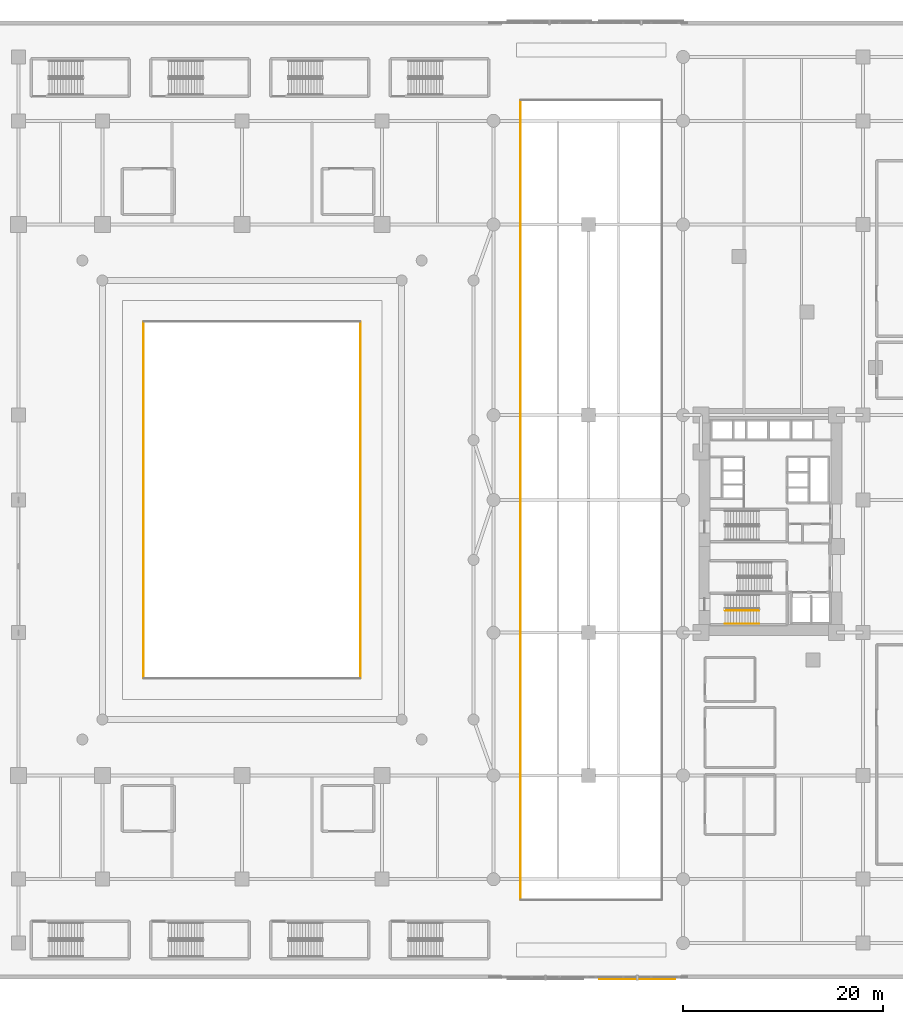
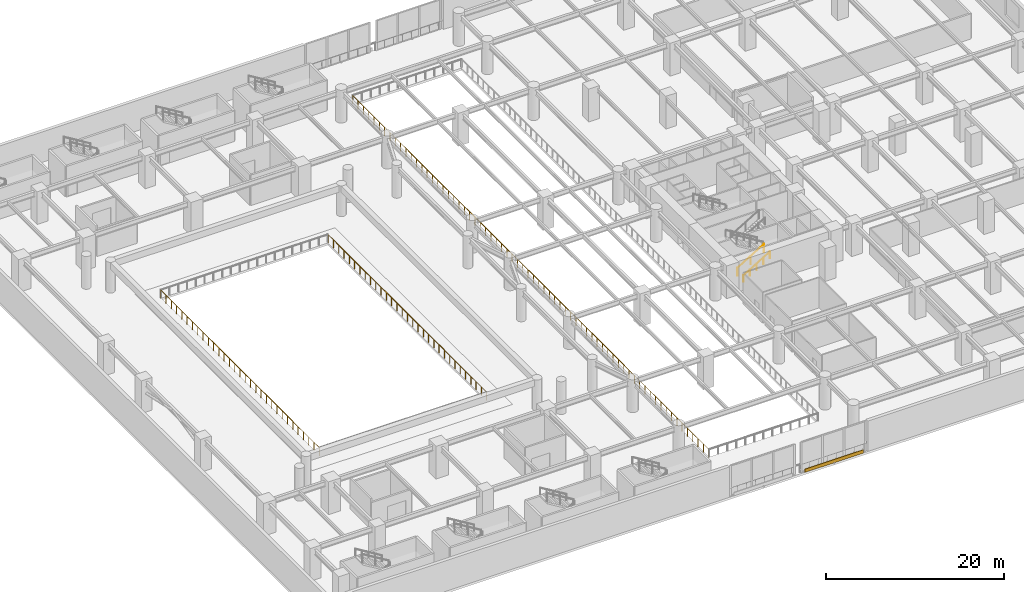
# One storey, part 26 of 32: 5 railings, 1 shading device.
"""IFC4 building model written with IfcOpenShell, lengths in metres."""

import ifcopenshell
import ifcopenshell.guid

model = None  # the IFC model being written
_history = None  # IfcOwnerHistory: only IFC2X3 demands one
_inside = {}  # id of a spatial element -> (the spatial element, [elements in it])
_under = {}  # id of a project, library or spatial element -> (it, [spatial elements below it])
_declared = {}  # id of a project -> (the project, [libraries it declares])
_typed = {}  # id of a type object -> (the type object, [elements of that type])
_made_of = {}  # id of a material, layer set ... -> (it, [elements and type objects made of it])


def new_model(schema):
    """Start an empty IFC model of exactly this schema.

    Asked for "IFC4X3", IfcOpenShell would pick the latest addendum, in which some entities
    have other attributes; the version numbers below select the first issue.
    IFC2X3 requires an IfcOwnerHistory on every rooted entity: one is made here for all.
    """
    global model, _history
    if schema == "IFC4X3":
        model = ifcopenshell.file(schema_version=(4, 3, 0, 0))
    else:
        model = ifcopenshell.file(schema=schema)
    _inside.clear()
    _under.clear()
    _declared.clear()
    _typed.clear()
    _made_of.clear()
    _history = None
    if model.schema == "IFC2X3":
        org = make("IfcOrganization", Name="unknown")
        user = make(
            "IfcPersonAndOrganization",
            ThePerson=make("IfcPerson", FamilyName="unknown"),
            TheOrganization=org,
        )
        app = make(
            "IfcApplication",
            ApplicationDeveloper=org,
            Version="unknown",
            ApplicationFullName="unknown",
            ApplicationIdentifier="unknown",
        )
        _history = make(
            "IfcOwnerHistory",
            OwningUser=user,
            OwningApplication=app,
            ChangeAction="ADDED",
            CreationDate=0,
        )
    return model


def make(cls, **values):
    """One entity of the class cls with the attributes given. An attribute that is None is left unset."""
    return model.create_entity(
        cls, **{name: value for name, value in values.items() if value is not None}
    )


def rooted(cls, **values):
    """An entity with a GlobalId (a new one), such as an element, a storey or a relation."""
    return make(cls, GlobalId=ifcopenshell.guid.new(), OwnerHistory=_history, **values)


def si_unit(unit_type, name, prefix=None):
    """IfcSIUnit, for example si_unit("LENGTHUNIT", "METRE", prefix="MILLI")."""
    return make("IfcSIUnit", UnitType=unit_type, Prefix=prefix, Name=name)


def assignment(units):
    """IfcUnitAssignment: the units of a project."""
    return None if units is None else make("IfcUnitAssignment", Units=units)


def point(xyz):
    """IfcCartesianPoint."""
    return None if xyz is None else make("IfcCartesianPoint", Coordinates=xyz)


def direction(xyz):
    """IfcDirection."""
    return None if xyz is None else make("IfcDirection", DirectionRatios=xyz)


def frame(location, z_axis=None, x_axis=None):
    """IfcAxis2Placement3D, a coordinate frame: its origin and axes. An axis left out is left unset."""
    return make(
        "IfcAxis2Placement3D",
        Location=point(location),
        Axis=direction(z_axis),
        RefDirection=direction(x_axis),
    )


def frame_2d(location, x_axis=None):
    """IfcAxis2Placement2D, a coordinate frame in the plane: its origin and x axis."""
    return make(
        "IfcAxis2Placement2D", Location=point(location), RefDirection=direction(x_axis)
    )


def origin():
    """The frame at (0, 0, 0) with its axes left unset."""
    return frame((0.0, 0.0, 0.0))


def origin_2d():
    """The frame at (0, 0) in the plane with its x axis left unset."""
    return frame_2d((0.0, 0.0))


def place(relative_to, where):
    """IfcLocalPlacement: puts the frame where relative to a parent placement (None: the world)."""
    return make(
        "IfcLocalPlacement", PlacementRelTo=relative_to, RelativePlacement=where
    )


def context(
    kind, dimensions, precision=None, world=None, true_north=None, identifier=None
):
    """IfcGeometricRepresentationContext, for example the 3D "Model" context."""
    return make(
        "IfcGeometricRepresentationContext",
        ContextIdentifier=identifier,
        ContextType=kind,
        CoordinateSpaceDimension=dimensions,
        Precision=precision,
        WorldCoordinateSystem=world,
        TrueNorth=true_north,
    )


def subcontext(parent, identifier, kind, view, scale=None):
    """IfcGeometricRepresentationSubContext, for example "Body" below "Model"."""
    return make(
        "IfcGeometricRepresentationSubContext",
        ContextIdentifier=identifier,
        ContextType=kind,
        ParentContext=parent,
        TargetScale=scale,
        TargetView=view,
    )


def project(units=None, contexts=None):
    """IfcProject with its units and contexts."""
    return rooted(
        "IfcProject",
        Name="project",
        RepresentationContexts=contexts,
        UnitsInContext=assignment(units),
    )


def spatial(cls, under=None, at=None, **own):
    """A site, building, storey or space (cls), placed at a placement, below another one or the project."""
    s = rooted(cls, ObjectPlacement=at, **own)
    if under is not None:
        _under.setdefault(under.id(), (under, []))[1].append(s)
    return s


def profile(cls, at=None, kind="AREA", **sizes):
    """A parametric profile (cls). Its sizes go by their IFC names, for example OverallWidth=200.0."""
    return make(cls, ProfileType=kind, Position=at, **sizes)


def rectangle(**sizes):
    """IfcRectangleProfileDef."""
    return profile("IfcRectangleProfileDef", **sizes)


def circle(**sizes):
    """IfcCircleProfileDef."""
    return profile("IfcCircleProfileDef", **sizes)


def extrude(swept, where, along, depth):
    """IfcExtrudedAreaSolid: the profile swept, set in the frame where, extruded along a direction by depth."""
    return make(
        "IfcExtrudedAreaSolid",
        SweptArea=swept,
        Position=where,
        ExtrudedDirection=direction(along),
        Depth=depth,
    )


def shape(context_of_items, identifier, shape_type, items):
    """IfcShapeRepresentation: the items that make up one representation, for example the "Body"."""
    return make(
        "IfcShapeRepresentation",
        ContextOfItems=context_of_items,
        RepresentationIdentifier=identifier,
        RepresentationType=shape_type,
        Items=items,
    )


def material(Name=None, Category=None):
    """IfcMaterial."""
    return make("IfcMaterial", Name=Name, Category=Category)


def layer(
    of_material, thickness, ventilated=None, Name=None, Category=None, Priority=None
):
    """IfcMaterialLayer: one layer of a wall or slab, of a material (None: an air gap)."""
    return make(
        "IfcMaterialLayer",
        Material=of_material,
        LayerThickness=thickness,
        IsVentilated=ventilated,
        Name=Name,
        Category=Category,
        Priority=Priority,
    )


def layer_set(layers, Name=None):
    """IfcMaterialLayerSet."""
    return make("IfcMaterialLayerSet", MaterialLayers=layers, LayerSetName=Name)


def made_of(thing, what):
    """Note that an element or type object is made of a material, layer set ...; save() writes the relation."""
    if what is not None:
        _made_of.setdefault(what.id(), (what, []))[1].append(thing)
    return thing


def type_object(cls, material=None, **own):
    """A type object (cls), such as IfcWallType, which elements share."""
    return made_of(rooted(cls, **own), material)


def element(
    cls,
    number,
    at=None,
    inside=None,
    cuts=None,
    type_object=None,
    material=None,
    context=None,
    identifier="Body",
    shape_type=None,
    held_by="IfcProductDefinitionShape",
    body=None,
    shapes=None,
    **own,
):
    """One element of the class cls, such as IfcWall. Its Tag is "e" and its number.

    at: its placement. inside: the storey or other place that contains it. cuts: it is an
    opening in that element (IfcRelVoidsElement). A single representation is given by context,
    identifier, shape_type and body (its items); several are given by shapes. held_by: the class
    of the entity that holds the representations. save() writes the other relations.
    """
    e = rooted(cls, Tag="e%d" % number, ObjectPlacement=at, **own)
    if body is not None:
        shapes = [shape(context, identifier, shape_type, body)]
    if shapes is not None:
        e.Representation = make(held_by, Representations=shapes)
    if inside is not None:
        _inside.setdefault(inside.id(), (inside, []))[1].append(e)
    if cuts is not None:
        rooted(
            "IfcRelVoidsElement", RelatingBuildingElement=cuts, RelatedOpeningElement=e
        )
    if type_object is not None:
        _typed.setdefault(type_object.id(), (type_object, []))[1].append(e)
    return made_of(e, material)


def aggregate(whole, parts):
    """IfcRelAggregates: a whole, such as a stair, and the parts it consists of."""
    return rooted("IfcRelAggregates", RelatingObject=whole, RelatedObjects=parts)


def save(model, path):
    """Write the relations noted so far, then the file.

    IfcRelAggregates (storeys below a building ...), IfcRelContainedInSpatialStructure (elements
    in a storey), IfcRelDefinesByType, IfcRelAssociatesMaterial and IfcRelDeclares: one each for
    every whole, place, type object, material and project.
    """
    for whole, parts in _under.values():
        aggregate(whole, parts)
    for where, things in _inside.values():
        rooted(
            "IfcRelContainedInSpatialStructure",
            RelatedElements=things,
            RelatingStructure=where,
        )
    for kind, things in _typed.values():
        rooted("IfcRelDefinesByType", RelatedObjects=things, RelatingType=kind)
    for what, things in _made_of.values():
        rooted("IfcRelAssociatesMaterial", RelatedObjects=things, RelatingMaterial=what)
    for by, libraries in _declared.values():
        rooted("IfcRelDeclares", RelatingContext=by, RelatedDefinitions=libraries)
    model.write(path)


model = new_model("IFC4")

# Units and contexts
model_context = context("Model", 3, precision=1e-05, world=origin(), true_north=direction((0.0, 1.0)))
body_context = subcontext(model_context, "Body", "Model", "MODEL_VIEW")
ifc_project = project(units=[si_unit("LENGTHUNIT", "METRE"), si_unit("AREAUNIT", "SQUARE_METRE"), si_unit("VOLUMEUNIT", "CUBIC_METRE"), si_unit("PLANEANGLEUNIT", "RADIAN"), si_unit("MASSUNIT", "GRAM", prefix="KILO")], contexts=[model_context])

# Site, building, storey
site_placement = place(None, origin())
site = spatial("IfcSite", under=ifc_project, at=site_placement, CompositionType="ELEMENT")
building_placement = place(site_placement, origin())
building = spatial("IfcBuilding", under=site, at=building_placement, Name="Narakoshi Arena Tower", CompositionType="ELEMENT")
storey_placement = place(building_placement, frame((0.0, 0.0, 4.5)))
storey = spatial("IfcBuildingStorey", under=building, at=storey_placement, Name="L01", CompositionType="ELEMENT", Elevation=4.5)

# Railings
ifc_material_1 = material(Name="Clear low-iron laminated structural glass", Category="glass")
railing_type_1 = type_object("IfcRailingType", Name="RL-BAL-1100", PredefinedType="BALUSTRADE", material=ifc_material_1)
railing_1_placement = place(storey_placement, frame((74.39990234375, 36.949951171875, 0.173095703125)))
element("IfcRailing", 1, at=railing_1_placement, inside=storey, type_object=railing_type_1, Name="L01 ST1 stair guard 1", PredefinedType="BALUSTRADE", context=body_context, shape_type="SweptSolid", body=[
    extrude(circle(Radius=0.02392578125, at=origin_2d()), frame((0.0, 0.0, 1.09619140625), z_axis=(0.854745945586, 0.0, 0.519046595696), x_axis=(0.0, 1.0, 0.0)), (0.0, 0.0, 1.0), 4.00146484375),
    extrude(circle(Radius=0.02099609375, at=origin_2d()), origin(), (0.0, 0.0, 1.0), 1.072021484375),
    extrude(circle(Radius=0.02099609375, at=origin_2d()), frame((1.7099609375, 0.0, 1.03857421875)), (0.0, 0.0, 1.0), 1.072021484375),
    extrude(circle(Radius=0.02099609375, at=origin_2d()), frame((3.420166015625, 0.0, 2.076904296875)), (0.0, 0.0, 1.0), 1.072021484375),
])
railing_2_placement = place(storey_placement, frame((37.8798828125, 30.159912109375, 0.0)))
element("IfcRailing", 2, at=railing_2_placement, inside=storey, type_object=railing_type_1, Name="L01 Arena Bowl Tier Balustrade 2", PredefinedType="BALUSTRADE", context=body_context, shape_type="SweptSolid", body=[
    extrude(circle(Radius=0.02392578125, at=origin_2d()), frame((0.0, 0.0, 1.09619140625), z_axis=(0.0, 1.0, 0.0), x_axis=(-1.0, 0.0, 0.0)), (0.0, 0.0, 1.0), 35.68017578125),
    extrude(circle(Radius=0.02099609375, at=origin_2d()), origin(), (0.0, 0.0, 1.0), 1.072021484375),
    extrude(circle(Radius=0.02099609375, at=origin_2d()), frame((0.0, 1.189453125, 0.0)), (0.0, 0.0, 1.0), 1.072021484375),
    extrude(circle(Radius=0.02099609375, at=origin_2d()), frame((0.0, 2.378662109375, 0.0)), (0.0, 0.0, 1.0), 1.072021484375),
    extrude(circle(Radius=0.02099609375, at=origin_2d()), frame((0.0, 3.568115234375, 0.0)), (0.0, 0.0, 1.0), 1.072021484375),
    extrude(circle(Radius=0.02099609375, at=origin_2d()), frame((0.0, 4.75732421875, 0.0)), (0.0, 0.0, 1.0), 1.072021484375),
    extrude(circle(Radius=0.02099609375, at=origin_2d()), frame((0.0, 5.94677734375, 0.0)), (0.0, 0.0, 1.0), 1.072021484375),
    extrude(circle(Radius=0.02099609375, at=origin_2d()), frame((0.0, 7.135986328125, 0.0)), (0.0, 0.0, 1.0), 1.072021484375),
    extrude(circle(Radius=0.02099609375, at=origin_2d()), frame((0.0, 8.325439453125, 0.0)), (0.0, 0.0, 1.0), 1.072021484375),
    extrude(circle(Radius=0.02099609375, at=origin_2d()), frame((0.0, 9.5146484375, 0.0)), (0.0, 0.0, 1.0), 1.072021484375),
    extrude(circle(Radius=0.02099609375, at=origin_2d()), frame((0.0, 10.7041015625, 0.0)), (0.0, 0.0, 1.0), 1.072021484375),
    extrude(circle(Radius=0.02099609375, at=origin_2d()), frame((0.0, 11.893310546875, 0.0)), (0.0, 0.0, 1.0), 1.072021484375),
    extrude(circle(Radius=0.02099609375, at=origin_2d()), frame((0.0, 13.082763671875, 0.0)), (0.0, 0.0, 1.0), 1.072021484375),
    extrude(circle(Radius=0.02099609375, at=origin_2d()), frame((0.0, 14.27197265625, 0.0)), (0.0, 0.0, 1.0), 1.072021484375),
    extrude(circle(Radius=0.02099609375, at=origin_2d()), frame((0.0, 15.46142578125, 0.0)), (0.0, 0.0, 1.0), 1.072021484375),
    extrude(circle(Radius=0.02099609375, at=origin_2d()), frame((0.0, 16.650634765625, 0.0)), (0.0, 0.0, 1.0), 1.072021484375),
    extrude(circle(Radius=0.02099609375, at=origin_2d()), frame((0.0, 17.840087890625, 0.0)), (0.0, 0.0, 1.0), 1.072021484375),
    extrude(circle(Radius=0.02099609375, at=origin_2d()), frame((0.0, 19.029541015625, 0.0)), (0.0, 0.0, 1.0), 1.072021484375),
    extrude(circle(Radius=0.02099609375, at=origin_2d()), frame((0.0, 20.21875, 0.0)), (0.0, 0.0, 1.0), 1.072021484375),
    extrude(circle(Radius=0.02099609375, at=origin_2d()), frame((0.0, 21.408203125, 0.0)), (0.0, 0.0, 1.0), 1.072021484375),
    extrude(circle(Radius=0.02099609375, at=origin_2d()), frame((0.0, 22.597412109375, 0.0)), (0.0, 0.0, 1.0), 1.072021484375),
    extrude(circle(Radius=0.02099609375, at=origin_2d()), frame((0.0, 23.786865234375, 0.0)), (0.0, 0.0, 1.0), 1.072021484375),
    extrude(circle(Radius=0.02099609375, at=origin_2d()), frame((0.0, 24.97607421875, 0.0)), (0.0, 0.0, 1.0), 1.072021484375),
    extrude(circle(Radius=0.02099609375, at=origin_2d()), frame((0.0, 26.16552734375, 0.0)), (0.0, 0.0, 1.0), 1.072021484375),
    extrude(circle(Radius=0.02099609375, at=origin_2d()), frame((0.0, 27.354736328125, 0.0)), (0.0, 0.0, 1.0), 1.072021484375),
    extrude(circle(Radius=0.02099609375, at=origin_2d()), frame((0.0, 28.544189453125, 0.0)), (0.0, 0.0, 1.0), 1.072021484375),
    extrude(circle(Radius=0.02099609375, at=origin_2d()), frame((0.0, 29.7333984375, 0.0)), (0.0, 0.0, 1.0), 1.072021484375),
    extrude(circle(Radius=0.02099609375, at=origin_2d()), frame((0.0, 30.9228515625, 0.0)), (0.0, 0.0, 1.0), 1.072021484375),
    extrude(circle(Radius=0.02099609375, at=origin_2d()), frame((0.0, 32.112060546875, 0.0)), (0.0, 0.0, 1.0), 1.072021484375),
    extrude(circle(Radius=0.02099609375, at=origin_2d()), frame((0.0, 33.301513671875, 0.0)), (0.0, 0.0, 1.0), 1.072021484375),
    extrude(circle(Radius=0.02099609375, at=origin_2d()), frame((0.0, 34.49072265625, 0.0)), (0.0, 0.0, 1.0), 1.072021484375),
    extrude(circle(Radius=0.02099609375, at=origin_2d()), frame((0.0, 35.68017578125, 0.0)), (0.0, 0.0, 1.0), 1.072021484375),
])
railing_3_placement = place(storey_placement, frame((16.1201171875, 65.840087890625, 0.0)))
element("IfcRailing", 3, at=railing_3_placement, inside=storey, type_object=railing_type_1, Name="L01 Arena Bowl Tier Balustrade 4", PredefinedType="BALUSTRADE", context=body_context, shape_type="SweptSolid", body=[
    extrude(circle(Radius=0.02392578125, at=origin_2d()), frame((0.0, 0.0, 1.09619140625), z_axis=(0.0, -1.0, 0.0), x_axis=(1.0, 0.0, 0.0)), (0.0, 0.0, 1.0), 35.68017578125),
    extrude(circle(Radius=0.02099609375, at=origin_2d()), origin(), (0.0, 0.0, 1.0), 1.072021484375),
    extrude(circle(Radius=0.02099609375, at=origin_2d()), frame((0.0, -1.189453125, 0.0)), (0.0, 0.0, 1.0), 1.072021484375),
    extrude(circle(Radius=0.02099609375, at=origin_2d()), frame((0.0, -2.378662109375, 0.0)), (0.0, 0.0, 1.0), 1.072021484375),
    extrude(circle(Radius=0.02099609375, at=origin_2d()), frame((0.0, -3.568115234375, 0.0)), (0.0, 0.0, 1.0), 1.072021484375),
    extrude(circle(Radius=0.02099609375, at=origin_2d()), frame((0.0, -4.75732421875, 0.0)), (0.0, 0.0, 1.0), 1.072021484375),
    extrude(circle(Radius=0.02099609375, at=origin_2d()), frame((0.0, -5.94677734375, 0.0)), (0.0, 0.0, 1.0), 1.072021484375),
    extrude(circle(Radius=0.02099609375, at=origin_2d()), frame((0.0, -7.135986328125, 0.0)), (0.0, 0.0, 1.0), 1.072021484375),
    extrude(circle(Radius=0.02099609375, at=origin_2d()), frame((0.0, -8.325439453125, 0.0)), (0.0, 0.0, 1.0), 1.072021484375),
    extrude(circle(Radius=0.02099609375, at=origin_2d()), frame((0.0, -9.5146484375, 0.0)), (0.0, 0.0, 1.0), 1.072021484375),
    extrude(circle(Radius=0.02099609375, at=origin_2d()), frame((0.0, -10.7041015625, 0.0)), (0.0, 0.0, 1.0), 1.072021484375),
    extrude(circle(Radius=0.02099609375, at=origin_2d()), frame((0.0, -11.893310546875, 0.0)), (0.0, 0.0, 1.0), 1.072021484375),
    extrude(circle(Radius=0.02099609375, at=origin_2d()), frame((0.0, -13.082763671875, 0.0)), (0.0, 0.0, 1.0), 1.072021484375),
    extrude(circle(Radius=0.02099609375, at=origin_2d()), frame((0.0, -14.27197265625, 0.0)), (0.0, 0.0, 1.0), 1.072021484375),
    extrude(circle(Radius=0.02099609375, at=origin_2d()), frame((0.0, -15.46142578125, 0.0)), (0.0, 0.0, 1.0), 1.072021484375),
    extrude(circle(Radius=0.02099609375, at=origin_2d()), frame((0.0, -16.650634765625, 0.0)), (0.0, 0.0, 1.0), 1.072021484375),
    extrude(circle(Radius=0.02099609375, at=origin_2d()), frame((0.0, -17.840087890625, 0.0)), (0.0, 0.0, 1.0), 1.072021484375),
    extrude(circle(Radius=0.02099609375, at=origin_2d()), frame((0.0, -19.029541015625, 0.0)), (0.0, 0.0, 1.0), 1.072021484375),
    extrude(circle(Radius=0.02099609375, at=origin_2d()), frame((0.0, -20.21875, 0.0)), (0.0, 0.0, 1.0), 1.072021484375),
    extrude(circle(Radius=0.02099609375, at=origin_2d()), frame((0.0, -21.408203125, 0.0)), (0.0, 0.0, 1.0), 1.072021484375),
    extrude(circle(Radius=0.02099609375, at=origin_2d()), frame((0.0, -22.597412109375, 0.0)), (0.0, 0.0, 1.0), 1.072021484375),
    extrude(circle(Radius=0.02099609375, at=origin_2d()), frame((0.0, -23.786865234375, 0.0)), (0.0, 0.0, 1.0), 1.072021484375),
    extrude(circle(Radius=0.02099609375, at=origin_2d()), frame((0.0, -24.97607421875, 0.0)), (0.0, 0.0, 1.0), 1.072021484375),
    extrude(circle(Radius=0.02099609375, at=origin_2d()), frame((0.0, -26.16552734375, 0.0)), (0.0, 0.0, 1.0), 1.072021484375),
    extrude(circle(Radius=0.02099609375, at=origin_2d()), frame((0.0, -27.354736328125, 0.0)), (0.0, 0.0, 1.0), 1.072021484375),
    extrude(circle(Radius=0.02099609375, at=origin_2d()), frame((0.0, -28.544189453125, 0.0)), (0.0, 0.0, 1.0), 1.072021484375),
    extrude(circle(Radius=0.02099609375, at=origin_2d()), frame((0.0, -29.7333984375, 0.0)), (0.0, 0.0, 1.0), 1.072021484375),
    extrude(circle(Radius=0.02099609375, at=origin_2d()), frame((0.0, -30.9228515625, 0.0)), (0.0, 0.0, 1.0), 1.072021484375),
    extrude(circle(Radius=0.02099609375, at=origin_2d()), frame((0.0, -32.112060546875, 0.0)), (0.0, 0.0, 1.0), 1.072021484375),
    extrude(circle(Radius=0.02099609375, at=origin_2d()), frame((0.0, -33.301513671875, 0.0)), (0.0, 0.0, 1.0), 1.072021484375),
    extrude(circle(Radius=0.02099609375, at=origin_2d()), frame((0.0, -34.49072265625, 0.0)), (0.0, 0.0, 1.0), 1.072021484375),
    extrude(circle(Radius=0.02099609375, at=origin_2d()), frame((0.0, -35.68017578125, 0.0)), (0.0, 0.0, 1.0), 1.072021484375),
])
ifc_material_2 = material(Name="Brushed bronze stainless steel", Category="steel")
railing_type_2 = type_object("IfcRailingType", Name="RL-GRD-1150", PredefinedType="GUARDRAIL", material=ifc_material_2)
railing_4_placement = place(storey_placement, frame((53.89990234375, 88.06005859375, 0.0)))
element("IfcRailing", 4, at=railing_4_placement, inside=storey, type_object=railing_type_2, Name="L01 Upper Street Concourse Gallery Void Guardrail 4", PredefinedType="GUARDRAIL", context=body_context, shape_type="SweptSolid", body=[
    extrude(circle(Radius=0.02392578125, at=origin_2d()), frame((0.0, 0.0, 1.1259765625), z_axis=(0.0, -1.0, 0.0), x_axis=(1.0, 0.0, 0.0)), (0.0, 0.0, 1.0), 80.1201171875),
    extrude(circle(Radius=0.02099609375, at=origin_2d()), origin(), (0.0, 0.0, 1.0), 1.101806640625),
    extrude(circle(Radius=0.02099609375, at=origin_2d()), frame((0.0, -1.19580078125, 0.0)), (0.0, 0.0, 1.0), 1.101806640625),
    extrude(circle(Radius=0.02099609375, at=origin_2d()), frame((0.0, -2.3916015625, 0.0)), (0.0, 0.0, 1.0), 1.101806640625),
    extrude(circle(Radius=0.02099609375, at=origin_2d()), frame((0.0, -3.58740234375, 0.0)), (0.0, 0.0, 1.0), 1.101806640625),
    extrude(circle(Radius=0.02099609375, at=origin_2d()), frame((0.0, -4.783203125, 0.0)), (0.0, 0.0, 1.0), 1.101806640625),
    extrude(circle(Radius=0.02099609375, at=origin_2d()), frame((0.0, -5.97900390625, 0.0)), (0.0, 0.0, 1.0), 1.101806640625),
    extrude(circle(Radius=0.02099609375, at=origin_2d()), frame((0.0, -7.175048828125, 0.0)), (0.0, 0.0, 1.0), 1.101806640625),
    extrude(circle(Radius=0.02099609375, at=origin_2d()), frame((0.0, -8.370849609375, 0.0)), (0.0, 0.0, 1.0), 1.101806640625),
    extrude(circle(Radius=0.02099609375, at=origin_2d()), frame((0.0, -9.566650390625, 0.0)), (0.0, 0.0, 1.0), 1.101806640625),
    extrude(circle(Radius=0.02099609375, at=origin_2d()), frame((0.0, -10.762451171875, 0.0)), (0.0, 0.0, 1.0), 1.101806640625),
    extrude(circle(Radius=0.02099609375, at=origin_2d()), frame((0.0, -11.958251953125, 0.0)), (0.0, 0.0, 1.0), 1.101806640625),
    extrude(circle(Radius=0.02099609375, at=origin_2d()), frame((0.0, -13.154052734375, 0.0)), (0.0, 0.0, 1.0), 1.101806640625),
    extrude(circle(Radius=0.02099609375, at=origin_2d()), frame((0.0, -14.349853515625, 0.0)), (0.0, 0.0, 1.0), 1.101806640625),
    extrude(circle(Radius=0.02099609375, at=origin_2d()), frame((0.0, -15.545654296875, 0.0)), (0.0, 0.0, 1.0), 1.101806640625),
    extrude(circle(Radius=0.02099609375, at=origin_2d()), frame((0.0, -16.741455078125, 0.0)), (0.0, 0.0, 1.0), 1.101806640625),
    extrude(circle(Radius=0.02099609375, at=origin_2d()), frame((0.0, -17.937255859375, 0.0)), (0.0, 0.0, 1.0), 1.101806640625),
    extrude(circle(Radius=0.02099609375, at=origin_2d()), frame((0.0, -19.133056640625, 0.0)), (0.0, 0.0, 1.0), 1.101806640625),
    extrude(circle(Radius=0.02099609375, at=origin_2d()), frame((0.0, -20.3291015625, 0.0)), (0.0, 0.0, 1.0), 1.101806640625),
    extrude(circle(Radius=0.02099609375, at=origin_2d()), frame((0.0, -21.52490234375, 0.0)), (0.0, 0.0, 1.0), 1.101806640625),
    extrude(circle(Radius=0.02099609375, at=origin_2d()), frame((0.0, -22.720703125, 0.0)), (0.0, 0.0, 1.0), 1.101806640625),
    extrude(circle(Radius=0.02099609375, at=origin_2d()), frame((0.0, -23.91650390625, 0.0)), (0.0, 0.0, 1.0), 1.101806640625),
    extrude(circle(Radius=0.02099609375, at=origin_2d()), frame((0.0, -25.1123046875, 0.0)), (0.0, 0.0, 1.0), 1.101806640625),
    extrude(circle(Radius=0.02099609375, at=origin_2d()), frame((0.0, -26.30810546875, 0.0)), (0.0, 0.0, 1.0), 1.101806640625),
    extrude(circle(Radius=0.02099609375, at=origin_2d()), frame((0.0, -27.50390625, 0.0)), (0.0, 0.0, 1.0), 1.101806640625),
    extrude(circle(Radius=0.02099609375, at=origin_2d()), frame((0.0, -28.69970703125, 0.0)), (0.0, 0.0, 1.0), 1.101806640625),
    extrude(circle(Radius=0.02099609375, at=origin_2d()), frame((0.0, -29.8955078125, 0.0)), (0.0, 0.0, 1.0), 1.101806640625),
    extrude(circle(Radius=0.02099609375, at=origin_2d()), frame((0.0, -31.09130859375, 0.0)), (0.0, 0.0, 1.0), 1.101806640625),
    extrude(circle(Radius=0.02099609375, at=origin_2d()), frame((0.0, -32.287109375, 0.0)), (0.0, 0.0, 1.0), 1.101806640625),
    extrude(circle(Radius=0.02099609375, at=origin_2d()), frame((0.0, -33.483154296875, 0.0)), (0.0, 0.0, 1.0), 1.101806640625),
    extrude(circle(Radius=0.02099609375, at=origin_2d()), frame((0.0, -34.678955078125, 0.0)), (0.0, 0.0, 1.0), 1.101806640625),
    extrude(circle(Radius=0.02099609375, at=origin_2d()), frame((0.0, -35.874755859375, 0.0)), (0.0, 0.0, 1.0), 1.101806640625),
    extrude(circle(Radius=0.02099609375, at=origin_2d()), frame((0.0, -37.070556640625, 0.0)), (0.0, 0.0, 1.0), 1.101806640625),
    extrude(circle(Radius=0.02099609375, at=origin_2d()), frame((0.0, -38.266357421875, 0.0)), (0.0, 0.0, 1.0), 1.101806640625),
    extrude(circle(Radius=0.02099609375, at=origin_2d()), frame((0.0, -39.462158203125, 0.0)), (0.0, 0.0, 1.0), 1.101806640625),
    extrude(circle(Radius=0.02099609375, at=origin_2d()), frame((0.0, -40.657958984375, 0.0)), (0.0, 0.0, 1.0), 1.101806640625),
    extrude(circle(Radius=0.02099609375, at=origin_2d()), frame((0.0, -41.853759765625, 0.0)), (0.0, 0.0, 1.0), 1.101806640625),
    extrude(circle(Radius=0.02099609375, at=origin_2d()), frame((0.0, -43.049560546875, 0.0)), (0.0, 0.0, 1.0), 1.101806640625),
    extrude(circle(Radius=0.02099609375, at=origin_2d()), frame((0.0, -44.245361328125, 0.0)), (0.0, 0.0, 1.0), 1.101806640625),
    extrude(circle(Radius=0.02099609375, at=origin_2d()), frame((0.0, -45.441162109375, 0.0)), (0.0, 0.0, 1.0), 1.101806640625),
    extrude(circle(Radius=0.02099609375, at=origin_2d()), frame((0.0, -46.636962890625, 0.0)), (0.0, 0.0, 1.0), 1.101806640625),
    extrude(circle(Radius=0.02099609375, at=origin_2d()), frame((0.0, -47.8330078125, 0.0)), (0.0, 0.0, 1.0), 1.101806640625),
    extrude(circle(Radius=0.02099609375, at=origin_2d()), frame((0.0, -49.02880859375, 0.0)), (0.0, 0.0, 1.0), 1.101806640625),
    extrude(circle(Radius=0.02099609375, at=origin_2d()), frame((0.0, -50.224609375, 0.0)), (0.0, 0.0, 1.0), 1.101806640625),
    extrude(circle(Radius=0.02099609375, at=origin_2d()), frame((0.0, -51.42041015625, 0.0)), (0.0, 0.0, 1.0), 1.101806640625),
    extrude(circle(Radius=0.02099609375, at=origin_2d()), frame((0.0, -52.6162109375, 0.0)), (0.0, 0.0, 1.0), 1.101806640625),
    extrude(circle(Radius=0.02099609375, at=origin_2d()), frame((0.0, -53.81201171875, 0.0)), (0.0, 0.0, 1.0), 1.101806640625),
    extrude(circle(Radius=0.02099609375, at=origin_2d()), frame((0.0, -55.0078125, 0.0)), (0.0, 0.0, 1.0), 1.101806640625),
    extrude(circle(Radius=0.02099609375, at=origin_2d()), frame((0.0, -56.20361328125, 0.0)), (0.0, 0.0, 1.0), 1.101806640625),
    extrude(circle(Radius=0.02099609375, at=origin_2d()), frame((0.0, -57.3994140625, 0.0)), (0.0, 0.0, 1.0), 1.101806640625),
    extrude(circle(Radius=0.02099609375, at=origin_2d()), frame((0.0, -58.59521484375, 0.0)), (0.0, 0.0, 1.0), 1.101806640625),
    extrude(circle(Radius=0.02099609375, at=origin_2d()), frame((0.0, -59.791015625, 0.0)), (0.0, 0.0, 1.0), 1.101806640625),
    extrude(circle(Radius=0.02099609375, at=origin_2d()), frame((0.0, -60.987060546875, 0.0)), (0.0, 0.0, 1.0), 1.101806640625),
    extrude(circle(Radius=0.02099609375, at=origin_2d()), frame((0.0, -62.182861328125, 0.0)), (0.0, 0.0, 1.0), 1.101806640625),
    extrude(circle(Radius=0.02099609375, at=origin_2d()), frame((0.0, -63.378662109375, 0.0)), (0.0, 0.0, 1.0), 1.101806640625),
    extrude(circle(Radius=0.02099609375, at=origin_2d()), frame((0.0, -64.574462890625, 0.0)), (0.0, 0.0, 1.0), 1.101806640625),
    extrude(circle(Radius=0.02099609375, at=origin_2d()), frame((0.0, -65.770263671875, 0.0)), (0.0, 0.0, 1.0), 1.101806640625),
    extrude(circle(Radius=0.02099609375, at=origin_2d()), frame((0.0, -66.966064453125, 0.0)), (0.0, 0.0, 1.0), 1.101806640625),
    extrude(circle(Radius=0.02099609375, at=origin_2d()), frame((0.0, -68.161865234375, 0.0)), (0.0, 0.0, 1.0), 1.101806640625),
    extrude(circle(Radius=0.02099609375, at=origin_2d()), frame((0.0, -69.357666015625, 0.0)), (0.0, 0.0, 1.0), 1.101806640625),
    extrude(circle(Radius=0.02099609375, at=origin_2d()), frame((0.0, -70.553466796875, 0.0)), (0.0, 0.0, 1.0), 1.101806640625),
    extrude(circle(Radius=0.02099609375, at=origin_2d()), frame((0.0, -71.749267578125, 0.0)), (0.0, 0.0, 1.0), 1.101806640625),
    extrude(circle(Radius=0.02099609375, at=origin_2d()), frame((0.0, -72.945068359375, 0.0)), (0.0, 0.0, 1.0), 1.101806640625),
    extrude(circle(Radius=0.02099609375, at=origin_2d()), frame((0.0, -74.14111328125, 0.0)), (0.0, 0.0, 1.0), 1.101806640625),
    extrude(circle(Radius=0.02099609375, at=origin_2d()), frame((0.0, -75.3369140625, 0.0)), (0.0, 0.0, 1.0), 1.101806640625),
    extrude(circle(Radius=0.02099609375, at=origin_2d()), frame((0.0, -76.53271484375, 0.0)), (0.0, 0.0, 1.0), 1.101806640625),
    extrude(circle(Radius=0.02099609375, at=origin_2d()), frame((0.0, -77.728515625, 0.0)), (0.0, 0.0, 1.0), 1.101806640625),
    extrude(circle(Radius=0.02099609375, at=origin_2d()), frame((0.0, -78.92431640625, 0.0)), (0.0, 0.0, 1.0), 1.101806640625),
    extrude(circle(Radius=0.02099609375, at=origin_2d()), frame((0.0, -80.1201171875, 0.0)), (0.0, 0.0, 1.0), 1.101806640625),
])
railing_type_3 = type_object("IfcRailingType", Name="RL-HND-900", PredefinedType="HANDRAIL", material=ifc_material_2)
railing_5_placement = place(storey_placement, frame((74.39990234375, 35.60009765625, 0.173095703125)))
element("IfcRailing", 5, at=railing_5_placement, inside=storey, type_object=railing_type_3, Name="L01 ST1 stair handrail 1", PredefinedType="HANDRAIL", context=body_context, shape_type="SweptSolid", body=[
    extrude(circle(Radius=0.02392578125, at=origin_2d()), frame((0.0, 0.0, 0.8759765625), z_axis=(0.854745945586, 0.0, 0.519046595696), x_axis=(0.0, 1.0, 0.0)), (0.0, 0.0, 1.0), 4.00146484375),
    extrude(circle(Radius=0.02099609375, at=origin_2d()), origin(), (0.0, 0.0, 1.0), 0.851806640625),
    extrude(circle(Radius=0.02099609375, at=origin_2d()), frame((0.85498046875, 0.0, 0.519287109375)), (0.0, 0.0, 1.0), 0.851806640625),
    extrude(circle(Radius=0.02099609375, at=origin_2d()), frame((1.7099609375, 0.0, 1.03857421875)), (0.0, 0.0, 1.0), 0.851806640625),
    extrude(circle(Radius=0.02099609375, at=origin_2d()), frame((2.565185546875, 0.0, 1.5576171875)), (0.0, 0.0, 1.0), 0.851806640625),
    extrude(circle(Radius=0.02099609375, at=origin_2d()), frame((3.420166015625, 0.0, 2.076904296875)), (0.0, 0.0, 1.0), 0.851806640625),
])

# Shading device
ifc_material_3 = material(Name="Anodised bronze aluminium 6063-T6", Category="aluminium")
ifc_layer = layer(ifc_material_3, 0.080078125)
ifc_layer_set = layer_set([ifc_layer], Name="Anodised bronze aluminium 6063-T6")
shading_device_type = type_object("IfcShadingDeviceType", Name="SHD-SUN-CONC", PredefinedType="SHUTTER", material=ifc_layer_set)
shading_device_placement = place(storey_placement, frame((65.60009765625, 0.010009765625, 0.0), z_axis=(0.0, 0.0, 1.0), x_axis=(1.0, 0.0, 0.0)))
element("IfcShadingDevice", 6, at=shading_device_placement, inside=storey, type_object=shading_device_type, Name="L01 Concourse Horizontal Sunshade CS2", PredefinedType="SHUTTER", context=body_context, shape_type="SweptSolid", body=[
    extrude(rectangle(XDim=7.60009765625, YDim=0.080078125, at=origin_2d()), origin(), (0.0, 0.0, 1.0), 0.449951171875),
])

save(model, "model.ifc")
